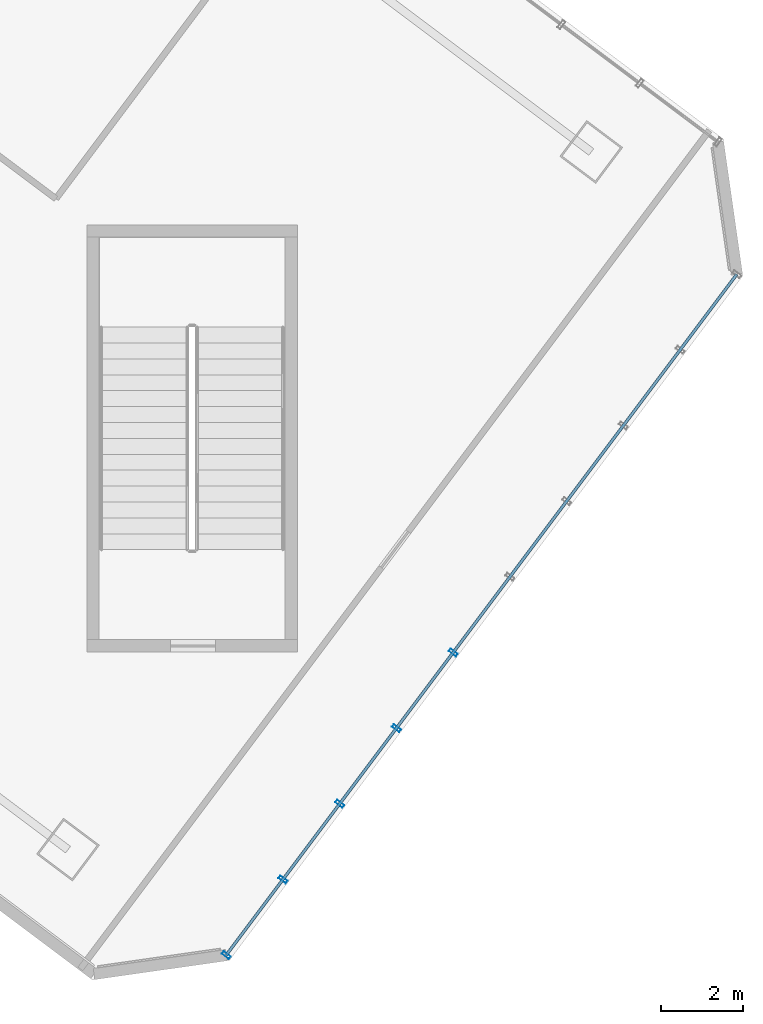
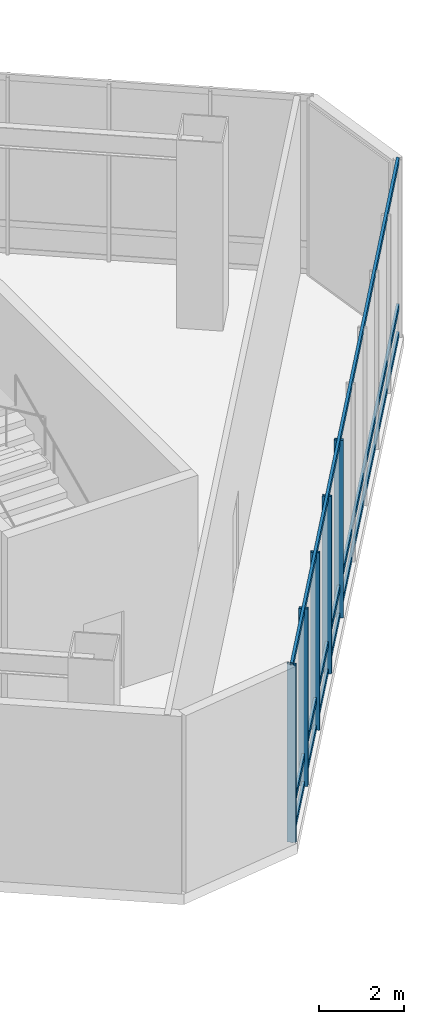
# One storey, part 5 of 35: 8 members, 1 element without a shape of its own.
"""IFC4 building model written with IfcOpenShell, lengths in metres."""

from ifc_helpers import new_model, si_unit, direction, frame, origin, origin_2d, place, context, subcontext, project, spatial, hollow_rectangle, extrude, material, layer, layer_set, material_profile, profile_set, type_object, element, aggregate, save


model = new_model("IFC4")

# Units and contexts
model_context = context("Model", 3, precision=1e-05, world=origin(), true_north=direction((0.0, 1.0)))
body_context = subcontext(model_context, "Body", "Model", "MODEL_VIEW")
ifc_project = project(units=[si_unit("LENGTHUNIT", "METRE"), si_unit("AREAUNIT", "SQUARE_METRE"), si_unit("VOLUMEUNIT", "CUBIC_METRE"), si_unit("PLANEANGLEUNIT", "RADIAN"), si_unit("MASSUNIT", "GRAM", prefix="KILO")], contexts=[model_context])

# Site, building, storey
site_placement = place(None, origin())
site = spatial("IfcSite", under=ifc_project, at=site_placement, CompositionType="ELEMENT")
building_placement = place(site_placement, origin())
building = spatial("IfcBuilding", under=site, at=building_placement, Name="Hatsunagi Terrace Concourse", CompositionType="ELEMENT")
storey_placement = place(building_placement, frame((0.0, 0.0, 10.800048828125)))
storey = spatial("IfcBuildingStorey", under=building, at=storey_placement, Name="L03", CompositionType="ELEMENT", Elevation=10.800048828125)

# Curtain wall, members
ifc_material_1 = material(Name="Anodised Aluminium Alloy 6063-T5", Category="aluminium")
ifc_layer = layer(ifc_material_1, 0.199951171875)
ifc_layer_set = layer_set([ifc_layer], Name="PodiumStorefront_CW01")
curtain_wall_type = type_object("IfcCurtainWallType", Name="PodiumStorefront_CW01", PredefinedType="NOTDEFINED", material=ifc_layer_set)
curtain_wall_placement = place(storey_placement, origin())
curtain_wall = element("IfcCurtainWall", 1, at=curtain_wall_placement, inside=storey, type_object=curtain_wall_type, Name="Unitised Curtain Wall CW-01 CW-L03-03", PredefinedType="NOTDEFINED")
ifc_material_2 = material(Name="Anodised Aluminium Alloy 6063-T5", Category="aluminium")
ifc_material_profile_1 = material_profile(ifc_material_2, hollow_rectangle(XDim=0.080078125, YDim=0.219970703125, WallThickness=0.0048828125, at=origin_2d()), Name="ALU-MUL-220x80x5")
ifc_profile_set_1 = profile_set([ifc_material_profile_1], Name="Anodised Aluminium Alloy 6063-T5")
member_type_1 = type_object("IfcMemberType", Name="CurtainWallMullion_Heavy_220x80", PredefinedType="MULLION", material=ifc_profile_set_1)
member_1_placement = place(storey_placement, frame((63.33203125, 9.47607421875, 0.0), z_axis=(0.0, 0.0, 1.0), x_axis=(-0.599969314634, -0.800023013105, 0.0)))
member_1 = element("IfcMember", 2, at=member_1_placement, type_object=member_type_1, Name="Curtain Wall Mullion MUL-01", PredefinedType="MULLION", context=body_context, shape_type="SweptSolid", body=[
    extrude(hollow_rectangle(XDim=0.080078125, YDim=0.219970703125, WallThickness=0.0048828125, at=origin_2d()), origin(), (0.0, 0.0, 1.0), 5.099853515625),
])
member_2_placement = place(storey_placement, frame((61.93994140625, 7.618896484375, 0.0), z_axis=(0.0, 0.0, 1.0), x_axis=(-0.599969314634, -0.800023013105, 0.0)))
member_2 = element("IfcMember", 3, at=member_2_placement, type_object=member_type_1, Name="Curtain Wall Mullion MUL-01", PredefinedType="MULLION", context=body_context, shape_type="SweptSolid", body=[
    extrude(hollow_rectangle(XDim=0.080078125, YDim=0.219970703125, WallThickness=0.0048828125, at=origin_2d()), origin(), (0.0, 0.0, 1.0), 5.099853515625),
])
member_3_placement = place(storey_placement, frame((60.547119140625, 5.762939453125, 0.0), z_axis=(0.0, 0.0, 1.0), x_axis=(-0.599969314634, -0.800023013105, 0.0)))
member_3 = element("IfcMember", 4, at=member_3_placement, type_object=member_type_1, Name="Curtain Wall Mullion MUL-01", PredefinedType="MULLION", context=body_context, shape_type="SweptSolid", body=[
    extrude(hollow_rectangle(XDim=0.080078125, YDim=0.219970703125, WallThickness=0.0048828125, at=origin_2d()), origin(), (0.0, 0.0, 1.0), 5.099853515625),
])
member_4_placement = place(storey_placement, frame((59.155029296875, 3.906005859375, 0.0), z_axis=(0.0, 0.0, 1.0), x_axis=(-0.599969314634, -0.800023013105, 0.0)))
member_4 = element("IfcMember", 5, at=member_4_placement, type_object=member_type_1, Name="Curtain Wall Mullion MUL-01", PredefinedType="MULLION", context=body_context, shape_type="SweptSolid", body=[
    extrude(hollow_rectangle(XDim=0.080078125, YDim=0.219970703125, WallThickness=0.0048828125, at=origin_2d()), origin(), (0.0, 0.0, 1.0), 5.099853515625),
])
member_5_placement = place(storey_placement, frame((57.762939453125, 2.050048828125, 0.0), z_axis=(0.0, 0.0, 1.0), x_axis=(-0.599969314634, -0.800023013105, 0.0)))
member_5 = element("IfcMember", 6, at=member_5_placement, type_object=member_type_1, Name="Curtain Wall Mullion MUL-01", PredefinedType="MULLION", context=body_context, shape_type="SweptSolid", body=[
    extrude(hollow_rectangle(XDim=0.080078125, YDim=0.219970703125, WallThickness=0.0048828125, at=origin_2d()), origin(), (0.0, 0.0, 1.0), 5.099853515625),
])
ifc_material_3 = material(Name="Anodised Aluminium Alloy 6063-T5", Category="aluminium")
ifc_material_profile_2 = material_profile(ifc_material_3, hollow_rectangle(XDim=0.070068359375, YDim=0.179931640625, WallThickness=0.00390625, at=origin_2d()), Name="ALU-TRN-180x70x4")
ifc_profile_set_2 = profile_set([ifc_material_profile_2], Name="Anodised Aluminium Alloy 6063-T5")
member_type_2 = type_object("IfcMemberType", Name="CurtainWallTransom_Heavy_180x70", PredefinedType="USERDEFINED", material=ifc_profile_set_2)
member_6_placement = place(storey_placement, frame((70.29296875, 18.758056640625, 0.050048828125), z_axis=(-0.599970072971, -0.800022444397, 0.0), x_axis=(0.800022444397, -0.599970072971, 0.0)))
member_6 = element("IfcMember", 7, at=member_6_placement, type_object=member_type_2, Name="Curtain Wall Transom TRN-01", ObjectType="TRANSOM", PredefinedType="USERDEFINED", context=body_context, shape_type="SweptSolid", body=[
    extrude(hollow_rectangle(XDim=0.070068359375, YDim=0.179931640625, WallThickness=0.00390625, at=origin_2d()), origin(), (0.0, 0.0, 1.0), 20.884521484375),
])
member_7_placement = place(storey_placement, frame((70.29296875, 18.758056640625, 0.849853515625), z_axis=(-0.599970072971, -0.800022444397, 0.0), x_axis=(0.800022444397, -0.599970072971, 0.0)))
member_7 = element("IfcMember", 8, at=member_7_placement, type_object=member_type_2, Name="Curtain Wall Transom TRN-01", ObjectType="TRANSOM", PredefinedType="USERDEFINED", context=body_context, shape_type="SweptSolid", body=[
    extrude(hollow_rectangle(XDim=0.070068359375, YDim=0.179931640625, WallThickness=0.00390625, at=origin_2d()), origin(), (0.0, 0.0, 1.0), 20.884521484375),
])
member_8_placement = place(storey_placement, frame((70.29296875, 18.758056640625, 5.050048828125), z_axis=(-0.599970072971, -0.800022444397, 0.0), x_axis=(0.800022444397, -0.599970072971, 0.0)))
member_8 = element("IfcMember", 9, at=member_8_placement, type_object=member_type_2, Name="Curtain Wall Transom TRN-01", ObjectType="TRANSOM", PredefinedType="USERDEFINED", context=body_context, shape_type="SweptSolid", body=[
    extrude(hollow_rectangle(XDim=0.070068359375, YDim=0.179931640625, WallThickness=0.00390625, at=origin_2d()), origin(), (0.0, 0.0, 1.0), 20.884521484375),
])
aggregate(curtain_wall, [member_1, member_2, member_3, member_4, member_5, member_6, member_7, member_8])

save(model, "model.ifc")
